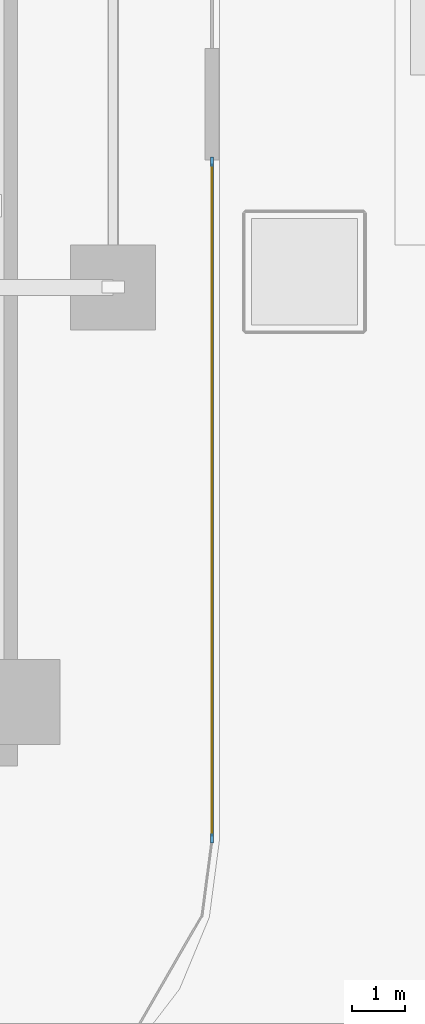
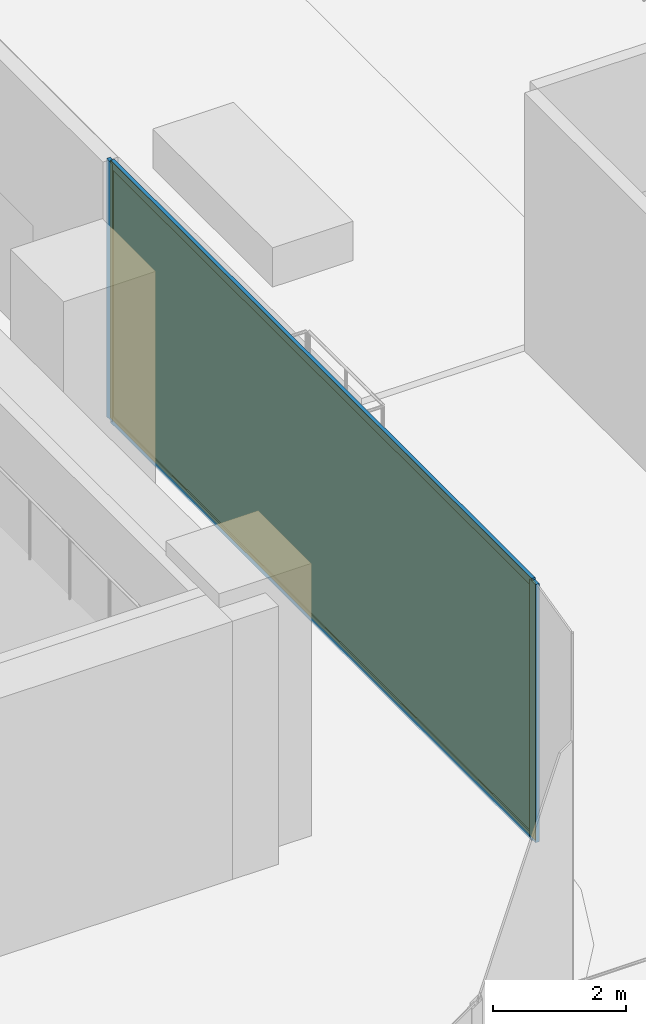
# One storey, part 12 of 21: 4 members, 1 curtain wall, 1 plate.
"""IFC4 building model written with IfcOpenShell, lengths in metres."""

from ifc_helpers import new_model, si_unit, direction, frame, frame_2d, origin, origin_2d, place, context, subcontext, project, spatial, rectangle, extrude, material, layer, layer_set, material_profile, profile_set, type_object, element, aggregate, save


model = new_model("IFC4")

# Units and contexts
model_context = context("Model", 3, precision=1e-05, world=origin(), true_north=direction((0.0, 1.0)))
body_context = subcontext(model_context, "Body", "Model", "MODEL_VIEW")
ifc_project = project(units=[si_unit("LENGTHUNIT", "METRE"), si_unit("AREAUNIT", "SQUARE_METRE"), si_unit("VOLUMEUNIT", "CUBIC_METRE"), si_unit("PLANEANGLEUNIT", "RADIAN"), si_unit("MASSUNIT", "GRAM", prefix="KILO")], contexts=[model_context])

# Member
ifc_material_1 = material(Name="Anodised Bronze Aluminium 6063-T6", Category="aluminium")
ifc_material_profile_1 = material_profile(ifc_material_1, rectangle(XDim=0.06494140625, YDim=0.179931640625, at=origin_2d()))
ifc_profile_set_1 = profile_set([ifc_material_profile_1], Name="Anodised Bronze Aluminium 6063-T6")
member_type_1 = type_object("IfcMemberType", Name="CW-Z1 Mullion 65x180", PredefinedType="MULLION", material=ifc_profile_set_1)
site_placement = place(None, origin())
building_placement = place(site_placement, origin())
storey_placement = place(building_placement, frame((0.0, 0.0, 21.0)))
member_1_placement = place(storey_placement, frame((24.06005859375, -21.158203125, 0.0), z_axis=(0.0, 0.0, 1.0), x_axis=(-1.0, 0.0, 0.0)))
member_1 = element("IfcMember", 1, at=member_1_placement, type_object=member_type_1, Name="CW-Z1 mullion 1", PredefinedType="MULLION", context=body_context, shape_type="SweptSolid", body=[
    extrude(rectangle(XDim=0.06494140625, YDim=0.179931640625, at=origin_2d()), origin(), (0.0, 0.0, 1.0), 4.739990234375),
])

member_2_placement = place(storey_placement, frame((24.06005859375, -8.4326171875, 0.0), z_axis=(0.0, 0.0, 1.0), x_axis=(-1.0, 0.0, 0.0)))
member_2 = element("IfcMember", 2, at=member_2_placement, type_object=member_type_1, Name="CW-Z1 mullion 2", PredefinedType="MULLION", context=body_context, shape_type="SweptSolid", body=[
    extrude(rectangle(XDim=0.06494140625, YDim=0.179931640625, at=origin_2d()), origin(), (0.0, 0.0, 1.0), 4.739990234375),
])

ifc_material_2 = material(Name="Anodised Bronze Aluminium 6063-T6", Category="aluminium")
ifc_material_profile_2 = material_profile(ifc_material_2, rectangle(XDim=0.06494140625, YDim=0.139892578125, at=origin_2d()))
ifc_profile_set_2 = profile_set([ifc_material_profile_2], Name="Anodised Bronze Aluminium 6063-T6")
member_type_2 = type_object("IfcMemberType", Name="CW-Z1 Transom 65x140", PredefinedType="USERDEFINED", material=ifc_profile_set_2)
member_3_placement = place(storey_placement, frame((24.06005859375, -21.125732421875, 0.032470703125), z_axis=(0.0, 1.0, 0.0), x_axis=(-1.0, 0.0, 0.0)))
member_3 = element("IfcMember", 3, at=member_3_placement, type_object=member_type_2, Name="CW-Z1 transom 1.1", ObjectType="TRANSOM", PredefinedType="USERDEFINED", context=body_context, shape_type="SweptSolid", body=[
    extrude(rectangle(XDim=0.06494140625, YDim=0.139892578125, at=origin_2d()), origin(), (0.0, 0.0, 1.0), 12.66064453125),
])

member_4_placement = place(storey_placement, frame((24.06005859375, -21.125732421875, 4.70751953125), z_axis=(0.0, 1.0, 0.0), x_axis=(-1.0, 0.0, 0.0)))
member_4 = element("IfcMember", 4, at=member_4_placement, type_object=member_type_2, Name="CW-Z1 transom 1.2", ObjectType="TRANSOM", PredefinedType="USERDEFINED", context=body_context, shape_type="SweptSolid", body=[
    extrude(rectangle(XDim=0.06494140625, YDim=0.139892578125, at=origin_2d()), origin(), (0.0, 0.0, 1.0), 12.66064453125),
])

# Plate
ifc_material_3 = material(Name="Low-E Solar Control Laminated Glass", Category="glass")
ifc_layer_1 = layer(ifc_material_3, 0.028076171875, Name="Low-E Solar Control Laminated Glass")
ifc_layer_set_1 = layer_set([ifc_layer_1], Name="Low-E Solar Control Laminated Glass")
plate_type = type_object("IfcPlateType", Name="CW-Z1 Low-E Double Glazed Panel 28mm", PredefinedType="CURTAIN_PANEL", material=ifc_layer_set_1)
plate_placement = place(storey_placement, frame((24.06005859375, -14.79541015625, 0.06494140625), z_axis=(0.0, 0.0, 1.0), x_axis=(0.0, 1.0, 0.0)))
plate = element("IfcPlate", 5, at=plate_placement, type_object=plate_type, Name="CW-Z1 panel 1.1", PredefinedType="CURTAIN_PANEL", context=body_context, shape_type="SweptSolid", body=[
    extrude(rectangle(XDim=12.660888671875, YDim=0.028076171875, at=origin_2d()), origin(), (0.0, 0.0, 1.0), 4.610107421875),
])

# Site, building, storey
site = spatial("IfcSite", under=ifc_project, at=site_placement, CompositionType="ELEMENT")
building = spatial("IfcBuilding", under=site, at=building_placement, Name="Khairoan Windgate Tower", CompositionType="ELEMENT")
storey = spatial("IfcBuildingStorey", under=building, at=storey_placement, Name="L05", CompositionType="ELEMENT", Elevation=21.0)

# Curtain wall
ifc_material_4 = material(Name="Anodised Bronze Aluminium 6063-T6", Category="aluminium")
ifc_layer_2 = layer(ifc_material_4, 0.179931640625, Name="Anodised Bronze Aluminium 6063-T6")
ifc_layer_set_2 = layer_set([ifc_layer_2], Name="Anodised Bronze Aluminium 6063-T6")
curtain_wall_type = type_object("IfcCurtainWallType", Name="Low-Rise Office Unitised Curtain Wall CW-Z1", PredefinedType="NOTDEFINED", material=ifc_layer_set_2)
curtain_wall_placement = place(storey_placement, frame((24.06005859375, -21.19091796875, 0.0), z_axis=(0.0, 0.0, 1.0), x_axis=(0.0, 1.0, 0.0)))
curtain_wall = element("IfcCurtainWall", 6, at=curtain_wall_placement, inside=storey, type_object=curtain_wall_type, Name="L05 Curtain Wall 15A", PredefinedType="NOTDEFINED", context=body_context, shape_type="SweptSolid", body=[
    extrude(rectangle(XDim=12.791015625, YDim=0.010009765625, at=frame_2d((6.3955078125, 0.0))), origin(), (0.0, 0.0, 1.0), 4.739990234375),
])

aggregate(curtain_wall, [member_1, member_2, member_3, member_4, plate])

save(model, "model.ifc")
